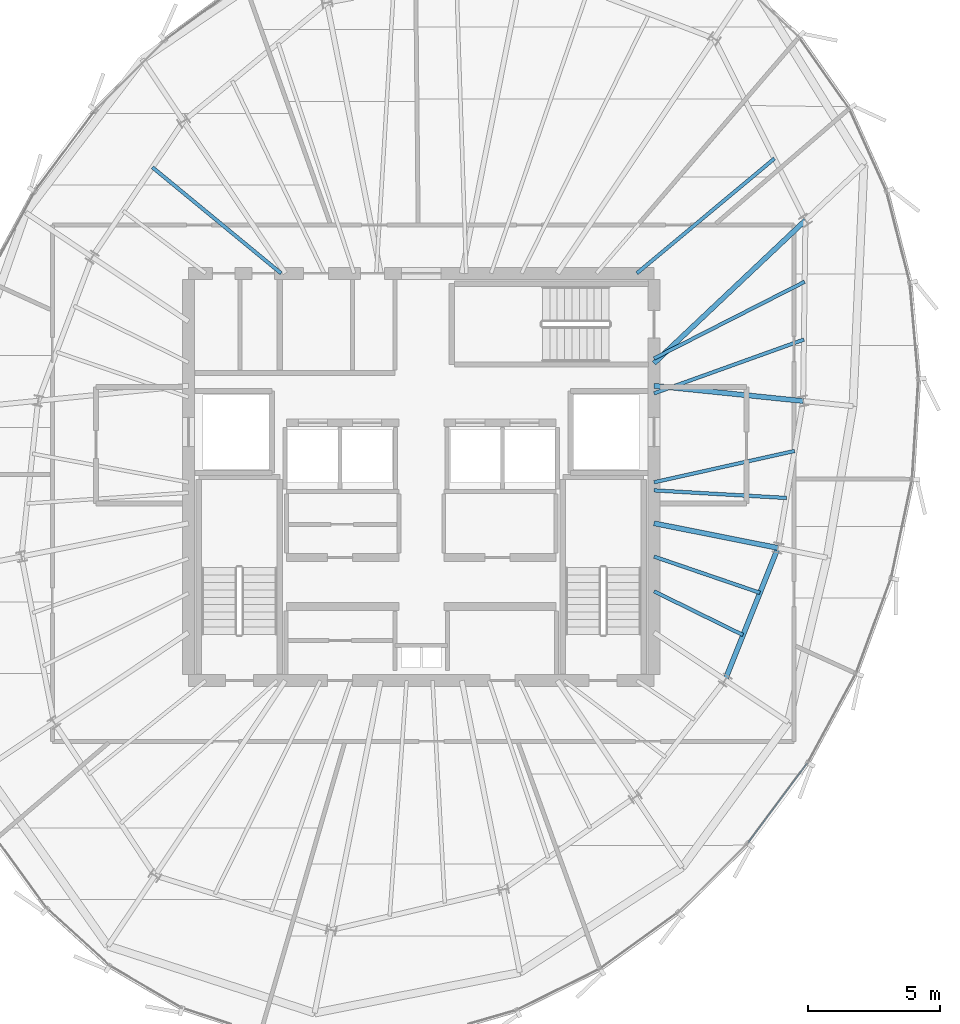
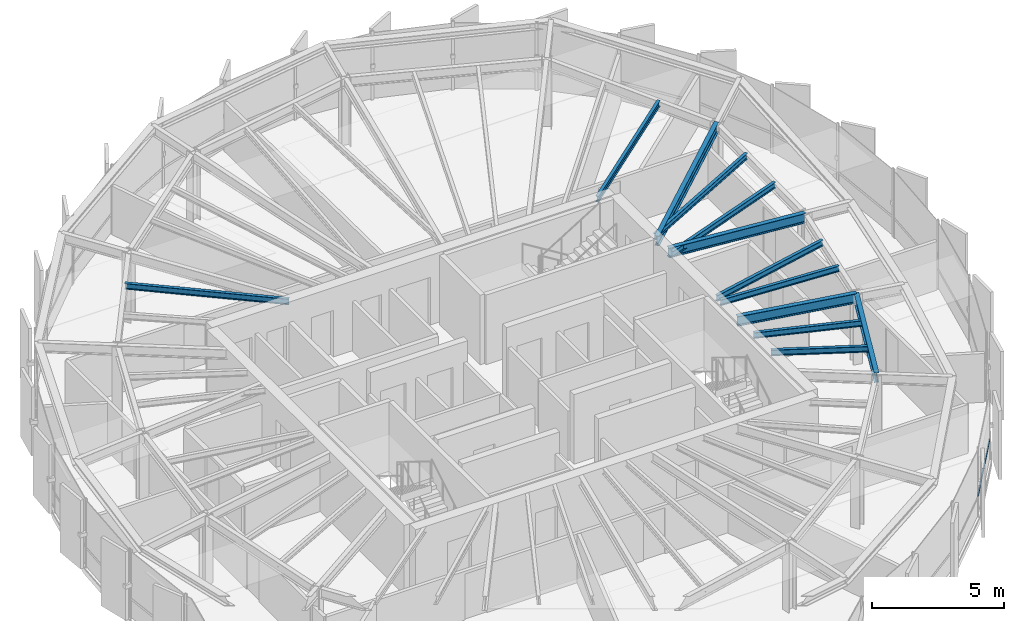
# One storey, part 12 of 30: 12 beams, 1 member, 1 element without a shape of its own.
"""IFC4 building model written with IfcOpenShell, lengths in metres."""

from ifc_helpers import new_model, si_unit, direction, frame, origin, origin_2d, place, context, subcontext, project, spatial, hollow_rectangle, i_section, extrude, source, transform, mapped, material, layer, layer_set, material_profile, profile_set, type_object, element, aggregate, save


model = new_model("IFC4")

# Units and contexts
model_context = context("Model", 3, precision=1e-05, world=origin(), true_north=direction((0.0, 1.0)))
body_context = subcontext(model_context, "Body", "Model", "MODEL_VIEW")
ifc_project = project(units=[si_unit("LENGTHUNIT", "METRE"), si_unit("AREAUNIT", "SQUARE_METRE"), si_unit("VOLUMEUNIT", "CUBIC_METRE"), si_unit("PLANEANGLEUNIT", "RADIAN"), si_unit("MASSUNIT", "GRAM", prefix="KILO"), si_unit("THERMODYNAMICTEMPERATUREUNIT", "KELVIN")], contexts=[model_context])

# Site, building, storey
site_placement = place(None, origin())
site = spatial("IfcSite", under=ifc_project, at=site_placement, CompositionType="ELEMENT")
building_placement = place(site_placement, origin())
building = spatial("IfcBuilding", under=site, at=building_placement, Name="Kethvar Cultural Tower", CompositionType="ELEMENT")
storey_placement = place(building_placement, frame((0.0, 0.0, 297.39990234375)))
storey = spatial("IfcBuildingStorey", under=building, at=storey_placement, Name="L79", CompositionType="ELEMENT", Elevation=297.39990234375)

# Beams
ifc_material_1 = material(Name="Steel S355J2", Category="steel")
ifc_material_profile_1 = material_profile(ifc_material_1, i_section(OverallWidth=0.18994140625, OverallDepth=0.449951171875, WebThickness=0.009521484375, FlangeThickness=0.0146484375, FilletRadius=0.02099609375, at=origin_2d()), Name="Steel S355J2 — IPE450")
ifc_profile_set_1 = profile_set([ifc_material_profile_1], Name="Steel S355J2 — IPE450")
beam_type_1 = type_object("IfcBeamType", Name="BM-IPE450", PredefinedType="BEAM", material=ifc_profile_set_1)
shared_shape_1 = source(origin(), body_context, "Body", "SweptSolid", [
    extrude(i_section(OverallWidth=0.18994140625, OverallDepth=0.449951171875, WebThickness=0.009521484375, FlangeThickness=0.0146484375, FilletRadius=0.02099609375, at=origin_2d()), origin(), (0.0, 0.0, 1.0), 5.66650390625),
])
beam_1_placement = place(storey_placement, frame((55.60009765625, 31.25, 2.983154296875), z_axis=(0.994777513459, -0.102067128476, 0.0), x_axis=(0.102067128476, 0.994777513459, 0.0)))
element("IfcBeam", 1, at=beam_1_placement, inside=storey, type_object=beam_type_1, Name="L79 Primary Radial Beam RB-01", PredefinedType="BEAM", context=body_context, shape_type="MappedRepresentation", body=[
    mapped(shared_shape_1, transform((0.0, 0.0, 0.0), scale=1.0)),
])
shared_shape_2 = source(origin(), body_context, "Body", "SweptSolid", [
    extrude(i_section(OverallWidth=0.18994140625, OverallDepth=0.449951171875, WebThickness=0.009521484375, FlangeThickness=0.0146484375, FilletRadius=0.02099609375, at=origin_2d()), origin(), (0.0, 0.0, 1.0), 7.874267578125),
])
beam_2_placement = place(storey_placement, frame((55.60009765625, 32.10009765625, 2.983154296875), z_axis=(0.727123202456, 0.686506990823, 0.0), x_axis=(-0.686506990823, 0.727123202456, 0.0)))
element("IfcBeam", 2, at=beam_2_placement, inside=storey, type_object=beam_type_1, Name="L79 Primary Radial Beam RB-02", PredefinedType="BEAM", context=body_context, shape_type="MappedRepresentation", body=[
    mapped(shared_shape_2, transform((0.0, 0.0, 0.0), scale=1.0)),
])
shared_shape_3 = source(origin(), body_context, "Body", "SweptSolid", [
    extrude(i_section(OverallWidth=0.18994140625, OverallDepth=0.449951171875, WebThickness=0.009521484375, FlangeThickness=0.0146484375, FilletRadius=0.02099609375, at=origin_2d()), origin(), (0.0, 0.0, 1.0), 4.775390625),
])
beam_3_placement = place(storey_placement, frame((55.60009765625, 26.049560546875, 2.983154296875), z_axis=(0.980784643133, -0.195093525761, 0.0), x_axis=(0.195093525761, 0.980784643133, 0.0)))
element("IfcBeam", 3, at=beam_3_placement, inside=storey, type_object=beam_type_1, Name="L79 Primary Radial Beam RB-16", PredefinedType="BEAM", context=body_context, shape_type="MappedRepresentation", body=[
    mapped(shared_shape_3, transform((0.0, 0.0, 0.0), scale=1.0)),
])
ifc_material_profile_2 = material_profile(ifc_material_1, i_section(OverallWidth=0.135009765625, OverallDepth=0.27001953125, WebThickness=0.006591796875, FlangeThickness=0.01025390625, FilletRadius=0.014892578125, at=origin_2d()), Name="Steel S355J2 — IPE270")
ifc_profile_set_2 = profile_set([ifc_material_profile_2], Name="Steel S355J2 — IPE270")
beam_type_2 = type_object("IfcBeamType", Name="BM-J270", PredefinedType="JOIST", material=ifc_profile_set_2)
shared_shape_4 = source(origin(), body_context, "Body", "SweptSolid", [
    extrude(i_section(OverallWidth=0.135009765625, OverallDepth=0.27001953125, WebThickness=0.006591796875, FlangeThickness=0.01025390625, FilletRadius=0.014892578125, at=origin_2d()), origin(), (0.0, 0.0, 1.0), 6.021240234375),
])
beam_4_placement = place(storey_placement, frame((55.60009765625, 30.960205078125, 3.072998046875), z_axis=(0.94114970072, 0.337990001086, 0.0), x_axis=(-0.337990001086, 0.94114970072, 0.0)))
element("IfcBeam", 4, at=beam_4_placement, inside=storey, type_object=beam_type_2, Name="L79 Composite Floor Joist J-01A", PredefinedType="JOIST", context=body_context, shape_type="MappedRepresentation", body=[
    mapped(shared_shape_4, transform((0.0, 0.0, 0.0), scale=1.0)),
])
shared_shape_5 = source(origin(), body_context, "Body", "SweptSolid", [
    extrude(i_section(OverallWidth=0.135009765625, OverallDepth=0.27001953125, WebThickness=0.006591796875, FlangeThickness=0.01025390625, FilletRadius=0.014892578125, at=origin_2d()), origin(), (0.0, 0.0, 1.0), 6.3916015625),
])
beam_5_placement = place(storey_placement, frame((55.60009765625, 32.281494140625, 3.072998046875), z_axis=(0.891094874615, 0.453817060538, 0.0), x_axis=(-0.453817060538, 0.891094874615, 0.0)))
element("IfcBeam", 5, at=beam_5_placement, inside=storey, type_object=beam_type_2, Name="L79 Composite Floor Joist J-01B", PredefinedType="JOIST", context=body_context, shape_type="MappedRepresentation", body=[
    mapped(shared_shape_5, transform((0.0, 0.0, 0.0), scale=1.0)),
])
shared_shape_6 = source(origin(), body_context, "Body", "SweptSolid", [
    extrude(i_section(OverallWidth=0.135009765625, OverallDepth=0.27001953125, WebThickness=0.006591796875, FlangeThickness=0.01025390625, FilletRadius=0.014892578125, at=origin_2d()), origin(), (0.0, 0.0, 1.0), 6.776123046875),
])
beam_6_placement = place(storey_placement, frame((54.949951171875, 35.5, 3.072998046875), z_axis=(0.767801747857, 0.6406875026, 0.0), x_axis=(-0.6406875026, 0.767801747857, 0.0)))
element("IfcBeam", 6, at=beam_6_placement, inside=storey, type_object=beam_type_2, Name="L79 Composite Floor Joist J-02A", PredefinedType="JOIST", context=body_context, shape_type="MappedRepresentation", body=[
    mapped(shared_shape_6, transform((0.0, 0.0, 0.0), scale=1.0)),
])
shared_shape_7 = source(origin(), body_context, "Body", "SweptSolid", [
    extrude(i_section(OverallWidth=0.135009765625, OverallDepth=0.27001953125, WebThickness=0.006591796875, FlangeThickness=0.01025390625, FilletRadius=0.014892578125, at=origin_2d()), origin(), (0.0, 0.0, 1.0), 6.302978515625),
])
beam_7_placement = place(storey_placement, frame((41.5, 35.5, 3.072998046875), z_axis=(-0.771828477148, 0.635830796567, 0.0), x_axis=(-0.635830796567, -0.771828477148, 0.0)))
element("IfcBeam", 7, at=beam_7_placement, inside=storey, type_object=beam_type_2, Name="L79 Composite Floor Joist J-06A", PredefinedType="JOIST", context=body_context, shape_type="MappedRepresentation", body=[
    mapped(shared_shape_7, transform((0.0, 0.0, 0.0), scale=1.0)),
])
shared_shape_8 = source(origin(), body_context, "Body", "SweptSolid", [
    extrude(i_section(OverallWidth=0.18994140625, OverallDepth=0.449951171875, WebThickness=0.009521484375, FlangeThickness=0.0146484375, FilletRadius=0.02099609375, at=origin_2d()), origin(), (0.0, 0.0, 1.0), 5.377685546875),
])
beam_8_placement = place(storey_placement, frame((58.287109375, 20.12451171875, 2.983154296875), z_axis=(0.371265436914, 0.928526776864, 0.0), x_axis=(-0.928526776864, 0.371265436914, 0.0)))
element("IfcBeam", 8, at=beam_8_placement, inside=storey, type_object=beam_type_1, Name="L79 Column Ring Tie Beam CR-15", PredefinedType="BEAM", context=body_context, shape_type="MappedRepresentation", body=[
    mapped(shared_shape_8, transform((0.0, 0.0, 0.0), scale=1.0)),
])
shared_shape_9 = source(origin(), body_context, "Body", "SweptSolid", [
    extrude(i_section(OverallWidth=0.135009765625, OverallDepth=0.27001953125, WebThickness=0.006591796875, FlangeThickness=0.01025390625, FilletRadius=0.014892578125, at=origin_2d()), origin(), (0.0, 0.0, 1.0), 3.75),
])
beam_9_placement = place(storey_placement, frame((55.60009765625, 23.476318359375, 3.072998046875), z_axis=(0.8975046019, -0.441005090184, 0.0), x_axis=(0.441005090184, 0.8975046019, 0.0)))
element("IfcBeam", 9, at=beam_9_placement, inside=storey, type_object=beam_type_2, Name="L79 Composite Floor Joist J-15A", PredefinedType="JOIST", context=body_context, shape_type="MappedRepresentation", body=[
    mapped(shared_shape_9, transform((0.0, 0.0, 0.0), scale=1.0)),
])
shared_shape_10 = source(origin(), body_context, "Body", "SweptSolid", [
    extrude(i_section(OverallWidth=0.135009765625, OverallDepth=0.27001953125, WebThickness=0.006591796875, FlangeThickness=0.01025390625, FilletRadius=0.014892578125, at=origin_2d()), origin(), (0.0, 0.0, 1.0), 4.232421875),
])
beam_10_placement = place(storey_placement, frame((55.60009765625, 24.7900390625, 3.072998046875), z_axis=(0.946173747357, -0.323659141402, 0.0), x_axis=(0.323659141402, 0.946173747357, 0.0)))
element("IfcBeam", 10, at=beam_10_placement, inside=storey, type_object=beam_type_2, Name="L79 Composite Floor Joist J-15B", PredefinedType="JOIST", context=body_context, shape_type="MappedRepresentation", body=[
    mapped(shared_shape_10, transform((0.0, 0.0, 0.0), scale=1.0)),
])
shared_shape_11 = source(origin(), body_context, "Body", "SweptSolid", [
    extrude(i_section(OverallWidth=0.135009765625, OverallDepth=0.27001953125, WebThickness=0.006591796875, FlangeThickness=0.01025390625, FilletRadius=0.014892578125, at=origin_2d()), origin(), (0.0, 0.0, 1.0), 5.01611328125),
])
beam_11_placement = place(storey_placement, frame((55.60009765625, 27.294189453125, 3.072998046875), z_axis=(0.998352190078, -0.057383835418, 0.0), x_axis=(0.057383835418, 0.998352190078, 0.0)))
element("IfcBeam", 11, at=beam_11_placement, inside=storey, type_object=beam_type_2, Name="L79 Composite Floor Joist J-16A", PredefinedType="JOIST", context=body_context, shape_type="MappedRepresentation", body=[
    mapped(shared_shape_11, transform((0.0, 0.0, 0.0), scale=1.0)),
])
shared_shape_12 = source(origin(), body_context, "Body", "SweptSolid", [
    extrude(i_section(OverallWidth=0.135009765625, OverallDepth=0.27001953125, WebThickness=0.006591796875, FlangeThickness=0.01025390625, FilletRadius=0.014892578125, at=origin_2d()), origin(), (0.0, 0.0, 1.0), 5.44287109375),
])
beam_12_placement = place(storey_placement, frame((55.60009765625, 27.60009765625, 3.072998046875), z_axis=(0.976080346759, 0.217410111702, 0.0), x_axis=(-0.217410111702, 0.976080346759, 0.0)))
element("IfcBeam", 12, at=beam_12_placement, inside=storey, type_object=beam_type_2, Name="L79 Composite Floor Joist J-16B", PredefinedType="JOIST", context=body_context, shape_type="MappedRepresentation", body=[
    mapped(shared_shape_12, transform((0.0, 0.0, 0.0), scale=1.0)),
])

# Curtain wall, member
ifc_material_2 = material(Name="Aluminium 6063-T6", Category="aluminium")
ifc_layer = layer(ifc_material_2, 0.179931640625, Name="Aluminium 6063-T6", Category="aluminium")
ifc_layer_set = layer_set([ifc_layer], Name="Aluminium 6063-T6 (180 mm)")
curtain_wall_type = type_object("IfcCurtainWallType", Name="CW-SYS-05-Z56", PredefinedType="NOTDEFINED", material=ifc_layer_set)
curtain_wall_placement = place(storey_placement, origin())
curtain_wall = element("IfcCurtainWall", 13, at=curtain_wall_placement, inside=storey, type_object=curtain_wall_type, Name="L79 Curtain Wall Run 05", PredefinedType="NOTDEFINED")
ifc_material_profile_3 = material_profile(ifc_material_2, hollow_rectangle(XDim=0.050048828125, YDim=0.10009765625, WallThickness=0.00390625, at=origin_2d()), Name="Aluminium 6063-T6 — RHS100x50x4")
ifc_profile_set_3 = profile_set([ifc_material_profile_3], Name="Aluminium 6063-T6 — RHS100x50x4")
member_type = type_object("IfcMemberType", Name="CW-SYS-05-Z56-TRN", PredefinedType="USERDEFINED", material=ifc_profile_set_3)
shared_shape_13 = source(origin(), body_context, "Body", "SweptSolid", [
    extrude(hollow_rectangle(XDim=0.050048828125, YDim=0.10009765625, WallThickness=0.00390625, at=origin_2d()), origin(), (0.0, 0.0, 1.0), 3.734619140625),
])
member_placement = place(storey_placement, frame((59.16259765625, 13.981689453125, 0.9501953125), z_axis=(0.597507697605, 0.801863174926, 0.0), x_axis=(-0.801863174926, 0.597507697605, 0.0)))
member = element("IfcMember", 14, at=member_placement, type_object=member_type, Name="CW-L79-R05 Transom 2", ObjectType="TRANSOM", PredefinedType="USERDEFINED", context=body_context, shape_type="MappedRepresentation", body=[
    mapped(shared_shape_13, transform((0.0, 0.0, 0.0), scale=1.0)),
])
aggregate(curtain_wall, [member])

save(model, "model.ifc")
